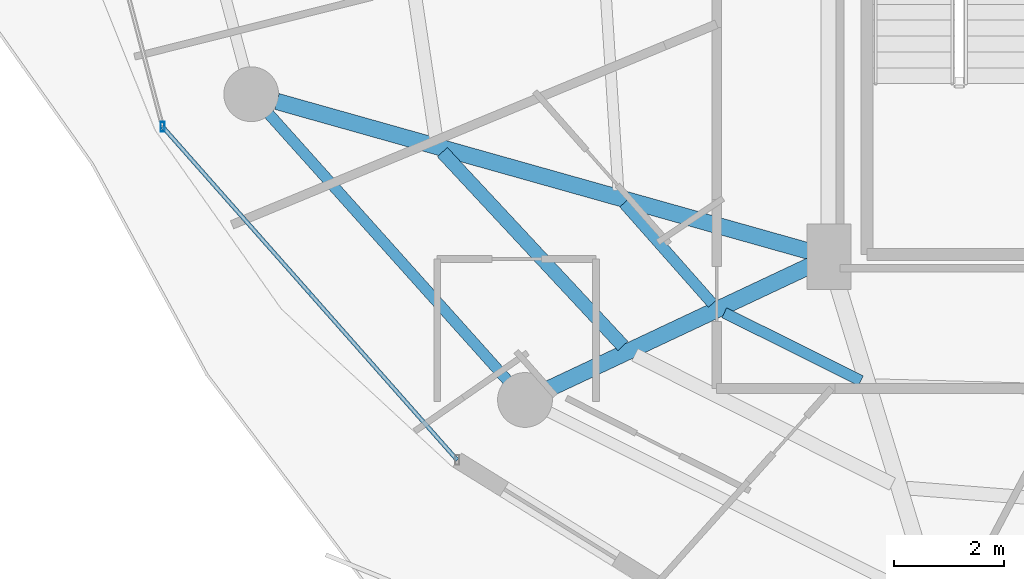
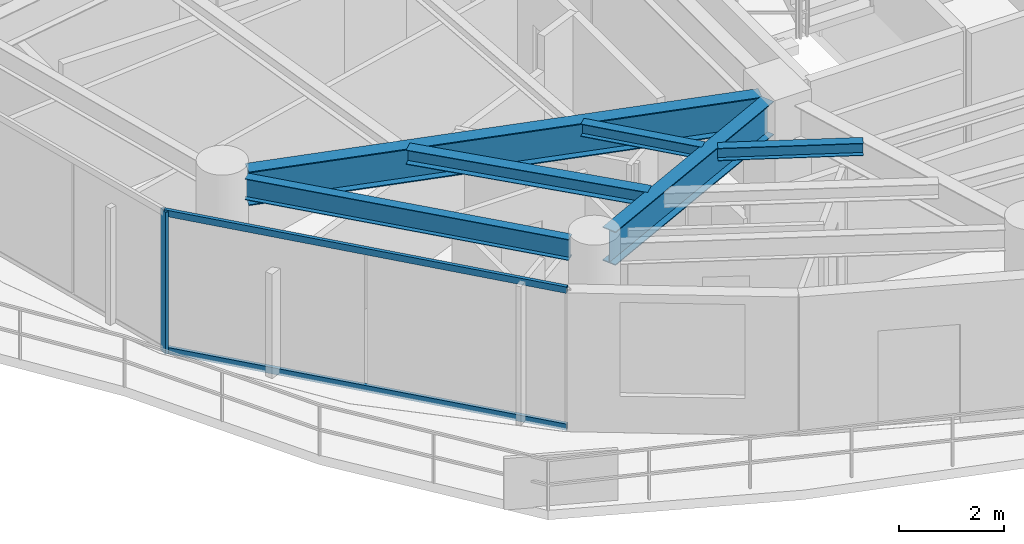
# One storey, part 3 of 28: 6 beams, 3 members, 1 element without a shape of its own.
"""IFC4 building model written with IfcOpenShell, lengths in metres."""

import ifcopenshell
import ifcopenshell.guid

model = None  # the IFC model being written
_history = None  # IfcOwnerHistory: only IFC2X3 demands one
_inside = {}  # id of a spatial element -> (the spatial element, [elements in it])
_under = {}  # id of a project, library or spatial element -> (it, [spatial elements below it])
_declared = {}  # id of a project -> (the project, [libraries it declares])
_typed = {}  # id of a type object -> (the type object, [elements of that type])
_made_of = {}  # id of a material, layer set ... -> (it, [elements and type objects made of it])


def new_model(schema):
    """Start an empty IFC model of exactly this schema.

    Asked for "IFC4X3", IfcOpenShell would pick the latest addendum, in which some entities
    have other attributes; the version numbers below select the first issue.
    IFC2X3 requires an IfcOwnerHistory on every rooted entity: one is made here for all.
    """
    global model, _history
    if schema == "IFC4X3":
        model = ifcopenshell.file(schema_version=(4, 3, 0, 0))
    else:
        model = ifcopenshell.file(schema=schema)
    _inside.clear()
    _under.clear()
    _declared.clear()
    _typed.clear()
    _made_of.clear()
    _history = None
    if model.schema == "IFC2X3":
        org = make("IfcOrganization", Name="unknown")
        user = make(
            "IfcPersonAndOrganization",
            ThePerson=make("IfcPerson", FamilyName="unknown"),
            TheOrganization=org,
        )
        app = make(
            "IfcApplication",
            ApplicationDeveloper=org,
            Version="unknown",
            ApplicationFullName="unknown",
            ApplicationIdentifier="unknown",
        )
        _history = make(
            "IfcOwnerHistory",
            OwningUser=user,
            OwningApplication=app,
            ChangeAction="ADDED",
            CreationDate=0,
        )
    return model


def make(cls, **values):
    """One entity of the class cls with the attributes given. An attribute that is None is left unset."""
    return model.create_entity(
        cls, **{name: value for name, value in values.items() if value is not None}
    )


def rooted(cls, **values):
    """An entity with a GlobalId (a new one), such as an element, a storey or a relation."""
    return make(cls, GlobalId=ifcopenshell.guid.new(), OwnerHistory=_history, **values)


def si_unit(unit_type, name, prefix=None):
    """IfcSIUnit, for example si_unit("LENGTHUNIT", "METRE", prefix="MILLI")."""
    return make("IfcSIUnit", UnitType=unit_type, Prefix=prefix, Name=name)


def assignment(units):
    """IfcUnitAssignment: the units of a project."""
    return None if units is None else make("IfcUnitAssignment", Units=units)


def point(xyz):
    """IfcCartesianPoint."""
    return None if xyz is None else make("IfcCartesianPoint", Coordinates=xyz)


def direction(xyz):
    """IfcDirection."""
    return None if xyz is None else make("IfcDirection", DirectionRatios=xyz)


def frame(location, z_axis=None, x_axis=None):
    """IfcAxis2Placement3D, a coordinate frame: its origin and axes. An axis left out is left unset."""
    return make(
        "IfcAxis2Placement3D",
        Location=point(location),
        Axis=direction(z_axis),
        RefDirection=direction(x_axis),
    )


def frame_2d(location, x_axis=None):
    """IfcAxis2Placement2D, a coordinate frame in the plane: its origin and x axis."""
    return make(
        "IfcAxis2Placement2D", Location=point(location), RefDirection=direction(x_axis)
    )


def origin():
    """The frame at (0, 0, 0) with its axes left unset."""
    return frame((0.0, 0.0, 0.0))


def origin_2d():
    """The frame at (0, 0) in the plane with its x axis left unset."""
    return frame_2d((0.0, 0.0))


def place(relative_to, where):
    """IfcLocalPlacement: puts the frame where relative to a parent placement (None: the world)."""
    return make(
        "IfcLocalPlacement", PlacementRelTo=relative_to, RelativePlacement=where
    )


def context(
    kind, dimensions, precision=None, world=None, true_north=None, identifier=None
):
    """IfcGeometricRepresentationContext, for example the 3D "Model" context."""
    return make(
        "IfcGeometricRepresentationContext",
        ContextIdentifier=identifier,
        ContextType=kind,
        CoordinateSpaceDimension=dimensions,
        Precision=precision,
        WorldCoordinateSystem=world,
        TrueNorth=true_north,
    )


def subcontext(parent, identifier, kind, view, scale=None):
    """IfcGeometricRepresentationSubContext, for example "Body" below "Model"."""
    return make(
        "IfcGeometricRepresentationSubContext",
        ContextIdentifier=identifier,
        ContextType=kind,
        ParentContext=parent,
        TargetScale=scale,
        TargetView=view,
    )


def project(units=None, contexts=None):
    """IfcProject with its units and contexts."""
    return rooted(
        "IfcProject",
        Name="project",
        RepresentationContexts=contexts,
        UnitsInContext=assignment(units),
    )


def spatial(cls, under=None, at=None, **own):
    """A site, building, storey or space (cls), placed at a placement, below another one or the project."""
    s = rooted(cls, ObjectPlacement=at, **own)
    if under is not None:
        _under.setdefault(under.id(), (under, []))[1].append(s)
    return s


def profile(cls, at=None, kind="AREA", **sizes):
    """A parametric profile (cls). Its sizes go by their IFC names, for example OverallWidth=200.0."""
    return make(cls, ProfileType=kind, Position=at, **sizes)


def hollow_rectangle(**sizes):
    """IfcRectangleHollowProfileDef."""
    return profile("IfcRectangleHollowProfileDef", **sizes)


def i_section(**sizes):
    """IfcIShapeProfileDef."""
    return profile("IfcIShapeProfileDef", **sizes)


def extrude(swept, where, along, depth):
    """IfcExtrudedAreaSolid: the profile swept, set in the frame where, extruded along a direction by depth."""
    return make(
        "IfcExtrudedAreaSolid",
        SweptArea=swept,
        Position=where,
        ExtrudedDirection=direction(along),
        Depth=depth,
    )


def shape(context_of_items, identifier, shape_type, items):
    """IfcShapeRepresentation: the items that make up one representation, for example the "Body"."""
    return make(
        "IfcShapeRepresentation",
        ContextOfItems=context_of_items,
        RepresentationIdentifier=identifier,
        RepresentationType=shape_type,
        Items=items,
    )


def material(Name=None, Category=None):
    """IfcMaterial."""
    return make("IfcMaterial", Name=Name, Category=Category)


def material_profile(
    of_material, cross_section, Name=None, Category=None, Priority=None
):
    """IfcMaterialProfile: a cross section and its material."""
    return make(
        "IfcMaterialProfile",
        Name=Name,
        Material=of_material,
        Profile=cross_section,
        Priority=Priority,
        Category=Category,
    )


def profile_set(profiles, Name=None, composite=None):
    """IfcMaterialProfileSet."""
    return make(
        "IfcMaterialProfileSet",
        Name=Name,
        MaterialProfiles=profiles,
        CompositeProfile=composite,
    )


def made_of(thing, what):
    """Note that an element or type object is made of a material, layer set ...; save() writes the relation."""
    if what is not None:
        _made_of.setdefault(what.id(), (what, []))[1].append(thing)
    return thing


def type_object(cls, material=None, **own):
    """A type object (cls), such as IfcWallType, which elements share."""
    return made_of(rooted(cls, **own), material)


def element(
    cls,
    number,
    at=None,
    inside=None,
    cuts=None,
    type_object=None,
    material=None,
    context=None,
    identifier="Body",
    shape_type=None,
    held_by="IfcProductDefinitionShape",
    body=None,
    shapes=None,
    **own,
):
    """One element of the class cls, such as IfcWall. Its Tag is "e" and its number.

    at: its placement. inside: the storey or other place that contains it. cuts: it is an
    opening in that element (IfcRelVoidsElement). A single representation is given by context,
    identifier, shape_type and body (its items); several are given by shapes. held_by: the class
    of the entity that holds the representations. save() writes the other relations.
    """
    e = rooted(cls, Tag="e%d" % number, ObjectPlacement=at, **own)
    if body is not None:
        shapes = [shape(context, identifier, shape_type, body)]
    if shapes is not None:
        e.Representation = make(held_by, Representations=shapes)
    if inside is not None:
        _inside.setdefault(inside.id(), (inside, []))[1].append(e)
    if cuts is not None:
        rooted(
            "IfcRelVoidsElement", RelatingBuildingElement=cuts, RelatedOpeningElement=e
        )
    if type_object is not None:
        _typed.setdefault(type_object.id(), (type_object, []))[1].append(e)
    return made_of(e, material)


def aggregate(whole, parts):
    """IfcRelAggregates: a whole, such as a stair, and the parts it consists of."""
    return rooted("IfcRelAggregates", RelatingObject=whole, RelatedObjects=parts)


def save(model, path):
    """Write the relations noted so far, then the file.

    IfcRelAggregates (storeys below a building ...), IfcRelContainedInSpatialStructure (elements
    in a storey), IfcRelDefinesByType, IfcRelAssociatesMaterial and IfcRelDeclares: one each for
    every whole, place, type object, material and project.
    """
    for whole, parts in _under.values():
        aggregate(whole, parts)
    for where, things in _inside.values():
        rooted(
            "IfcRelContainedInSpatialStructure",
            RelatedElements=things,
            RelatingStructure=where,
        )
    for kind, things in _typed.values():
        rooted("IfcRelDefinesByType", RelatedObjects=things, RelatingType=kind)
    for what, things in _made_of.values():
        rooted("IfcRelAssociatesMaterial", RelatedObjects=things, RelatingMaterial=what)
    for by, libraries in _declared.values():
        rooted("IfcRelDeclares", RelatingContext=by, RelatedDefinitions=libraries)
    model.write(path)


model = new_model("IFC4")

# Units and contexts
model_context = context("Model", 3, precision=1e-05, world=origin(), true_north=direction((0.0, 1.0)))
body_context = subcontext(model_context, "Body", "Model", "MODEL_VIEW")
ifc_project = project(units=[si_unit("LENGTHUNIT", "METRE"), si_unit("AREAUNIT", "SQUARE_METRE"), si_unit("VOLUMEUNIT", "CUBIC_METRE"), si_unit("PLANEANGLEUNIT", "RADIAN"), si_unit("MASSUNIT", "GRAM", prefix="KILO")], contexts=[model_context])

# Site, building, storey
site_placement = place(None, origin())
site = spatial("IfcSite", under=ifc_project, at=site_placement, CompositionType="ELEMENT")
building_placement = place(site_placement, origin())
building = spatial("IfcBuilding", under=site, at=building_placement, Name="Vorneva Point Tower", CompositionType="ELEMENT")
storey_placement = place(building_placement, frame((0.0, 0.0, 160.60009765625)))
storey = spatial("IfcBuildingStorey", under=building, at=storey_placement, Name="L43", CompositionType="ELEMENT", Elevation=160.60009765625)

# Beams
ifc_material_1 = material(Name="Steel S355", Category="steel")
ifc_material_profile_1 = material_profile(ifc_material_1, i_section(OverallWidth=0.300048828125, OverallDepth=0.7880859375, WebThickness=0.014404296875, FlangeThickness=0.02197265625, at=origin_2d()), Name="80Sh1")
ifc_profile_set_1 = profile_set([ifc_material_profile_1], Name="Steel S355")
beam_type_1 = type_object("IfcBeamType", Name="BM-GRD-80Sh1", PredefinedType="USERDEFINED", material=ifc_profile_set_1)
beam_1_placement = place(storey_placement, frame((17.17431640625, 19.28564453125, 2.845947265625), z_axis=(0.96260085362, -0.270923599213, 0.0), x_axis=(0.270923599213, 0.96260085362, 0.0)))
element("IfcBeam", 1, at=beam_1_placement, inside=storey, type_object=beam_type_1, Name="L43 Radial Primary Girder 10", ObjectType="GIRDER", PredefinedType="USERDEFINED", context=body_context, shape_type="SweptSolid", body=[
    extrude(i_section(OverallWidth=0.300048828125, OverallDepth=0.7880859375, WebThickness=0.014404296875, FlangeThickness=0.02197265625, at=origin_2d()), origin(), (0.0, 0.0, 1.0), 10.126953125),
])
beam_2_placement = place(storey_placement, frame((22.142578125, 14.045654296875, 2.845947265625), z_axis=(0.904761331435, 0.425918927896, 0.0), x_axis=(-0.425918927896, 0.904761331435, 0.0)))
element("IfcBeam", 2, at=beam_2_placement, inside=storey, type_object=beam_type_1, Name="L43 Radial Primary Girder 11", ObjectType="GIRDER", PredefinedType="USERDEFINED", context=body_context, shape_type="SweptSolid", body=[
    extrude(i_section(OverallWidth=0.300048828125, OverallDepth=0.7880859375, WebThickness=0.014404296875, FlangeThickness=0.02197265625, at=origin_2d()), origin(), (0.0, 0.0, 1.0), 5.304931640625),
])
ifc_material_profile_2 = material_profile(ifc_material_1, i_section(OverallWidth=0.199951171875, OverallDepth=0.291015625, WebThickness=0.008056640625, FlangeThickness=0.010986328125, at=origin_2d()), Name="30Sh1")
ifc_profile_set_2 = profile_set([ifc_material_profile_2], Name="Steel S355")
beam_type_2 = type_object("IfcBeamType", Name="BM-SEC-30Sh1", PredefinedType="BEAM", material=ifc_profile_set_2)
beam_3_placement = place(storey_placement, frame((23.504638671875, 17.426513671875, 3.094482421875), z_axis=(0.662209536351, -0.74931871054, 0.0), x_axis=(0.74931871054, 0.662209536351, 0.0)))
element("IfcBeam", 3, at=beam_3_placement, inside=storey, type_object=beam_type_2, Name="L43 Secondary Floor Beam 2.10", PredefinedType="BEAM", context=body_context, shape_type="SweptSolid", body=[
    extrude(i_section(OverallWidth=0.199951171875, OverallDepth=0.291015625, WebThickness=0.008056640625, FlangeThickness=0.010986328125, at=origin_2d()), origin(), (0.0, 0.0, 1.0), 2.44384765625),
])
beam_4_placement = place(storey_placement, frame((25.338134765625, 15.430419921875, 3.094482421875), z_axis=(0.895266564534, -0.445530895031, 0.0), x_axis=(0.445530895031, 0.895266564534, 0.0)))
element("IfcBeam", 4, at=beam_4_placement, inside=storey, type_object=beam_type_2, Name="L43 Secondary Floor Beam 2.11", PredefinedType="BEAM", context=body_context, shape_type="SweptSolid", body=[
    extrude(i_section(OverallWidth=0.199951171875, OverallDepth=0.291015625, WebThickness=0.008056640625, FlangeThickness=0.010986328125, at=origin_2d()), origin(), (0.0, 0.0, 1.0), 2.787109375),
])
ifc_material_profile_3 = material_profile(ifc_material_1, i_section(OverallWidth=0.2490234375, OverallDepth=0.333984375, WebThickness=0.008056640625, FlangeThickness=0.010986328125, at=origin_2d()), Name="35Sh1")
ifc_profile_set_3 = profile_set([ifc_material_profile_3], Name="Steel S355")
beam_type_3 = type_object("IfcBeamType", Name="BM-SEC-35Sh1", PredefinedType="BEAM", material=ifc_profile_set_3)
beam_5_placement = place(storey_placement, frame((20.193115234375, 18.361572265625, 3.072998046875), z_axis=(0.68166662065, -0.731662913022, 0.0), x_axis=(0.731662913022, 0.68166662065, 0.0)))
element("IfcBeam", 5, at=beam_5_placement, inside=storey, type_object=beam_type_3, Name="L43 Secondary Floor Beam 1.10", PredefinedType="BEAM", context=body_context, shape_type="SweptSolid", body=[
    extrude(i_section(OverallWidth=0.2490234375, OverallDepth=0.333984375, WebThickness=0.008056640625, FlangeThickness=0.010986328125, at=origin_2d()), origin(), (0.0, 0.0, 1.0), 4.834228515625),
])
ifc_material_profile_4 = material_profile(ifc_material_1, i_section(OverallWidth=0.199951171875, OverallDepth=0.491943359375, WebThickness=0.0087890625, FlangeThickness=0.011962890625, at=origin_2d()), Name="50B1")
ifc_profile_set_4 = profile_set([ifc_material_profile_4], Name="Steel S355")
beam_type_4 = type_object("IfcBeamType", Name="BM-SPN-50B1", PredefinedType="SPANDREL", material=ifc_profile_set_4)
beam_6_placement = place(storey_placement, frame((17.028076171875, 19.056396484375, 2.993896484375), z_axis=(0.667111118975, -0.74495822362, 0.0), x_axis=(0.74495822362, 0.667111118975, 0.0)))
element("IfcBeam", 6, at=beam_6_placement, inside=storey, type_object=beam_type_4, Name="L43 Perimeter Spandrel Ring Beam 10", PredefinedType="SPANDREL", context=body_context, shape_type="SweptSolid", body=[
    extrude(i_section(OverallWidth=0.199951171875, OverallDepth=0.491943359375, WebThickness=0.0087890625, FlangeThickness=0.011962890625, at=origin_2d()), origin(), (0.0, 0.0, 1.0), 6.52001953125),
])

# Curtain wall, members
ifc_material_2 = material(Name="Pale anodised aluminium", Category="aluminium")
curtain_wall_type = type_object("IfcCurtainWallType", Name="CW-RES-SYS", PredefinedType="NOTDEFINED", material=ifc_material_2)
curtain_wall_placement = place(storey_placement, origin())
curtain_wall = element("IfcCurtainWall", 7, at=curtain_wall_placement, inside=storey, type_object=curtain_wall_type, Name="L43 Unitised Curtain Wall CW-L43-R03", PredefinedType="NOTDEFINED")
ifc_material_profile_5 = material_profile(ifc_material_2, hollow_rectangle(XDim=0.074951171875, YDim=0.179931640625, WallThickness=0.00390625, at=origin_2d()), Name="AL-MUL 180x75x4")
ifc_profile_set_5 = profile_set([ifc_material_profile_5], Name="Pale anodised aluminium")
member_type_1 = type_object("IfcMemberType", Name="CW-MUL-180", PredefinedType="MULLION", material=ifc_profile_set_5)
member_1_placement = place(storey_placement, frame((15.087890625, 18.82470703125, -0.0400390625), z_axis=(0.0, 0.0, 1.0), x_axis=(1.0, 0.0, 0.0)))
member_1 = element("IfcMember", 8, at=member_1_placement, type_object=member_type_1, Name="CW-L43-R03 Mullion 04", PredefinedType="MULLION", context=body_context, shape_type="SweptSolid", body=[
    extrude(hollow_rectangle(XDim=0.074951171875, YDim=0.179931640625, WallThickness=0.00390625, at=origin_2d()), origin(), (0.0, 0.0, 1.0), 3.31005859375),
])
ifc_material_profile_6 = material_profile(ifc_material_2, hollow_rectangle(XDim=0.074951171875, YDim=0.14990234375, WallThickness=0.00390625, at=origin_2d()), Name="AL-TRN 150x75x4")
ifc_profile_set_6 = profile_set([ifc_material_profile_6], Name="Pale anodised aluminium")
member_type_2 = type_object("IfcMemberType", Name="CW-TRN-150", PredefinedType="USERDEFINED", material=ifc_profile_set_6)
member_2_placement = place(storey_placement, frame((15.087890625, 18.82470703125, 0.02001953125), z_axis=(0.662218216609, -0.749311039283, 0.0), x_axis=(0.749311039283, 0.662218216609, 0.0)))
member_2 = element("IfcMember", 9, at=member_2_placement, type_object=member_type_2, Name="CW-L43-R03 Transom 04.1", ObjectType="TRANSOM", PredefinedType="USERDEFINED", context=body_context, shape_type="SweptSolid", body=[
    extrude(hollow_rectangle(XDim=0.074951171875, YDim=0.14990234375, WallThickness=0.00390625, at=origin_2d()), origin(), (0.0, 0.0, 1.0), 8.1181640625),
])
member_3_placement = place(storey_placement, frame((15.087890625, 18.82470703125, 3.219970703125), z_axis=(0.662218216609, -0.749311039283, 0.0), x_axis=(0.749311039283, 0.662218216609, 0.0)))
member_3 = element("IfcMember", 10, at=member_3_placement, type_object=member_type_2, Name="CW-L43-R03 Transom 04.2", ObjectType="TRANSOM", PredefinedType="USERDEFINED", context=body_context, shape_type="SweptSolid", body=[
    extrude(hollow_rectangle(XDim=0.074951171875, YDim=0.14990234375, WallThickness=0.00390625, at=origin_2d()), origin(), (0.0, 0.0, 1.0), 8.1181640625),
])
aggregate(curtain_wall, [member_1, member_2, member_3])

save(model, "model.ifc")
